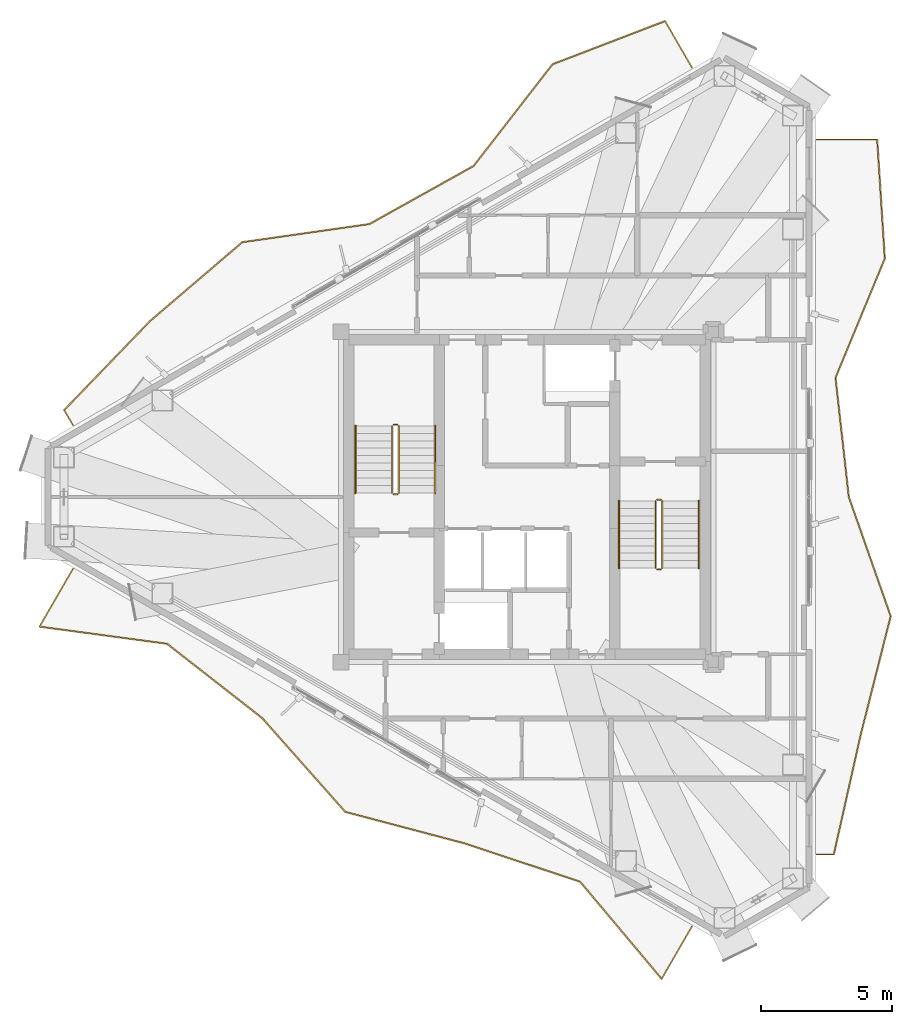
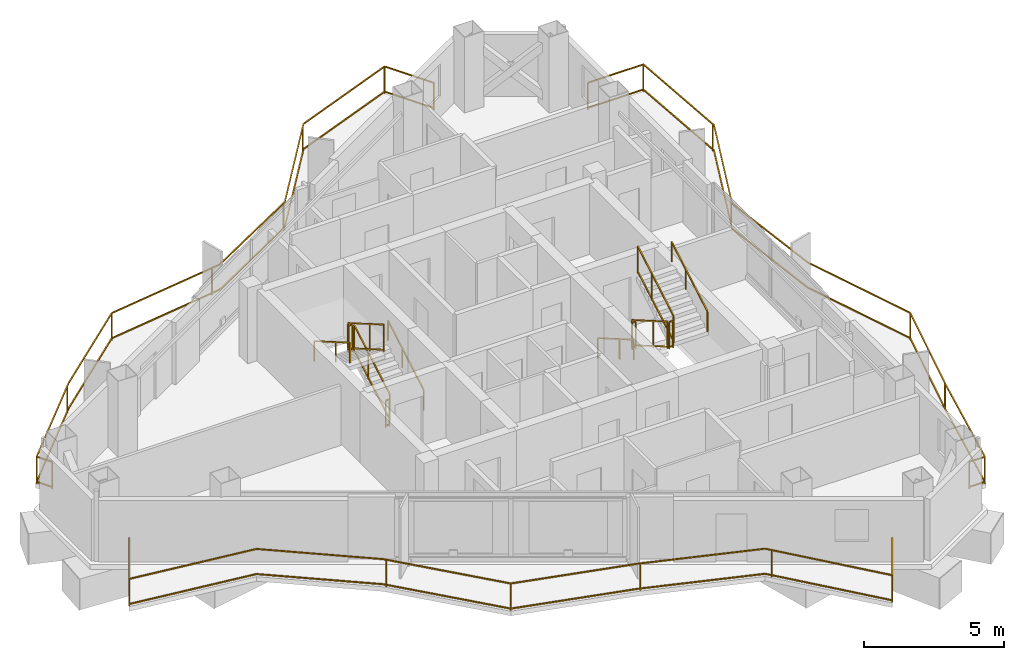
# One storey, part 17 of 17: 15 railings.
"""IFC4 building model written with IfcOpenShell, lengths in metres."""

from ifc_helpers import new_model, si_unit, direction, frame, origin, origin_2d, place, context, subcontext, project, spatial, rectangle, extrude, material, type_object, element, save


model = new_model("IFC4")

# Units and contexts
model_context = context("Model", 3, precision=1e-05, world=origin(), true_north=direction((0.0, 1.0)))
body_context = subcontext(model_context, "Body", "Model", "MODEL_VIEW")
ifc_project = project(units=[si_unit("LENGTHUNIT", "METRE"), si_unit("AREAUNIT", "SQUARE_METRE"), si_unit("VOLUMEUNIT", "CUBIC_METRE"), si_unit("PLANEANGLEUNIT", "RADIAN"), si_unit("MASSUNIT", "GRAM", prefix="KILO")], contexts=[model_context])

# Site, building, storey
site_placement = place(None, origin())
site = spatial("IfcSite", under=ifc_project, at=site_placement, CompositionType="ELEMENT")
building_placement = place(site_placement, origin())
building = spatial("IfcBuilding", under=site, at=building_placement, Name="Mersakhor Tower and Convention Hall", CompositionType="ELEMENT")
storey_placement = place(building_placement, frame((0.0, 0.0, 223.199951171875)))
storey = spatial("IfcBuildingStorey", under=building, at=storey_placement, Name="L62", CompositionType="ELEMENT", Elevation=223.199951171875)

# Railings
ifc_material_1 = material(Name="Powder-coated galvanised steel and laminated glass balustrade", Category="steel")
railing_type_1 = type_object("IfcRailingType", Name="RL-BAL-1200", PredefinedType="BALUSTRADE", material=ifc_material_1)
railing_1_placement = place(storey_placement, frame((35.287841796875, 43.13134765625, 0.0)))
element("IfcRailing", 1, at=railing_1_placement, inside=storey, type_object=railing_type_1, Name="L62 Sinusoidal Balcony Balustrade F1", PredefinedType="BALUSTRADE", context=body_context, shape_type="SweptSolid", body=[
    extrude(rectangle(XDim=0.048095703125, YDim=0.048095703125, at=origin_2d()), frame((0.0, 0.0, 1.17578125), z_axis=(-0.500036479807, 0.866004341134, 0.0), x_axis=(-0.866004341134, -0.500036479807, 0.0)), (0.0, 0.0, 1.0), 2.041259765625),
    extrude(rectangle(XDim=0.048095703125, YDim=0.048095703125, at=origin_2d()), frame((0.0, 0.0, 0.080078125), z_axis=(-0.500036479807, 0.866004341134, 0.0), x_axis=(-0.866004341134, -0.500036479807, 0.0)), (0.0, 0.0, 1.0), 2.041259765625),
    extrude(rectangle(XDim=0.048095703125, YDim=0.048095703125, at=origin_2d()), frame((-1.020751953125, 1.767822265625, 1.17578125), z_axis=(-0.93362697614, -0.35824666003, 0.0), x_axis=(0.35824666003, -0.93362697614, 0.0)), (0.0, 0.0, 1.0), 4.60205078125),
    extrude(rectangle(XDim=0.048095703125, YDim=0.048095703125, at=origin_2d()), frame((-1.020751953125, 1.767822265625, 0.080078125), z_axis=(-0.93362697614, -0.35824666003, 0.0), x_axis=(0.35824666003, -0.93362697614, 0.0)), (0.0, 0.0, 1.0), 4.60205078125),
    extrude(rectangle(XDim=0.048095703125, YDim=0.048095703125, at=origin_2d()), frame((-5.3173828125, 0.119140625, 1.17578125), z_axis=(-0.61301744282, -0.790069373409, 0.0), x_axis=(0.790069373409, -0.61301744282, 0.0)), (0.0, 0.0, 1.0), 4.908935546875),
    extrude(rectangle(XDim=0.048095703125, YDim=0.048095703125, at=origin_2d()), frame((-5.3173828125, 0.119140625, 0.080078125), z_axis=(-0.61301744282, -0.790069373409, 0.0), x_axis=(0.790069373409, -0.61301744282, 0.0)), (0.0, 0.0, 1.0), 4.908935546875),
    extrude(rectangle(XDim=0.048095703125, YDim=0.048095703125, at=origin_2d()), frame((-8.32666015625, -3.75927734375, 1.17578125), z_axis=(-0.873332678429, -0.487124247793, 0.0), x_axis=(0.487124247793, -0.873332678429, 0.0)), (0.0, 0.0, 1.0), 4.545654296875),
    extrude(rectangle(XDim=0.048095703125, YDim=0.048095703125, at=origin_2d()), frame((-8.32666015625, -3.75927734375, 0.080078125), z_axis=(-0.873332678429, -0.487124247793, 0.0), x_axis=(0.487124247793, -0.873332678429, 0.0)), (0.0, 0.0, 1.0), 4.545654296875),
    extrude(rectangle(XDim=0.048095703125, YDim=0.048095703125, at=origin_2d()), frame((-12.296630859375, -5.9736328125, 1.17578125), z_axis=(-0.989981366384, -0.141198067309, 0.0), x_axis=(0.141198067309, -0.989981366384, 0.0)), (0.0, 0.0, 1.0), 4.8984375),
    extrude(rectangle(XDim=0.048095703125, YDim=0.048095703125, at=origin_2d()), frame((-12.296630859375, -5.9736328125, 0.080078125), z_axis=(-0.989981366384, -0.141198067309, 0.0), x_axis=(0.141198067309, -0.989981366384, 0.0)), (0.0, 0.0, 1.0), 4.8984375),
    extrude(rectangle(XDim=0.048095703125, YDim=0.048095703125, at=origin_2d()), frame((-17.14599609375, -6.665283203125, 1.17578125), z_axis=(-0.760258477283, -0.649620695267, 0.0), x_axis=(0.649620695267, -0.760258477283, 0.0)), (0.0, 0.0, 1.0), 4.623046875),
    extrude(rectangle(XDim=0.048095703125, YDim=0.048095703125, at=origin_2d()), frame((-17.14599609375, -6.665283203125, 0.080078125), z_axis=(-0.760258477283, -0.649620695267, 0.0), x_axis=(0.649620695267, -0.760258477283, 0.0)), (0.0, 0.0, 1.0), 4.623046875),
    extrude(rectangle(XDim=0.048095703125, YDim=0.048095703125, at=origin_2d()), frame((-20.66064453125, -9.66845703125, 1.17578125), z_axis=(-0.694083982811, -0.719894037207, 0.0), x_axis=(0.719894037207, -0.694083982811, 0.0)), (0.0, 0.0, 1.0), 4.7294921875),
    extrude(rectangle(XDim=0.048095703125, YDim=0.048095703125, at=origin_2d()), frame((-20.66064453125, -9.66845703125, 0.080078125), z_axis=(-0.694083982811, -0.719894037207, 0.0), x_axis=(0.719894037207, -0.694083982811, 0.0)), (0.0, 0.0, 1.0), 4.7294921875),
    extrude(rectangle(XDim=0.048095703125, YDim=0.048095703125, at=origin_2d()), frame((-23.943359375, -13.0732421875, 1.17578125), z_axis=(0.500058503878, -0.86599162392, 0.0), x_axis=(0.86599162392, 0.500058503878, 0.0)), (0.0, 0.0, 1.0), 0.64990234375),
    extrude(rectangle(XDim=0.048095703125, YDim=0.048095703125, at=origin_2d()), frame((-23.943359375, -13.0732421875, 0.080078125), z_axis=(0.500058503878, -0.86599162392, 0.0), x_axis=(0.86599162392, 0.500058503878, 0.0)), (0.0, 0.0, 1.0), 0.64990234375),
    extrude(rectangle(XDim=0.0419921875, YDim=0.0419921875, at=origin_2d()), origin(), (0.0, 0.0, 1.0), 1.15185546875),
    extrude(rectangle(XDim=0.0419921875, YDim=0.0419921875, at=origin_2d()), frame((-1.020751953125, 1.767822265625, 0.0)), (0.0, 0.0, 1.0), 1.15185546875),
    extrude(rectangle(XDim=0.0419921875, YDim=0.0419921875, at=origin_2d()), frame((-5.438720703125, -0.037109375, 0.0)), (0.0, 0.0, 1.0), 1.15185546875),
    extrude(rectangle(XDim=0.0419921875, YDim=0.0419921875, at=origin_2d()), frame((-8.404296875, -3.802490234375, 0.0)), (0.0, 0.0, 1.0), 1.15185546875),
    extrude(rectangle(XDim=0.0419921875, YDim=0.0419921875, at=origin_2d()), frame((-12.636474609375, -6.02197265625, 0.0)), (0.0, 0.0, 1.0), 1.15185546875),
    extrude(rectangle(XDim=0.0419921875, YDim=0.0419921875, at=origin_2d()), frame((-17.14599609375, -6.665283203125, 0.0)), (0.0, 0.0, 1.0), 1.15185546875),
    extrude(rectangle(XDim=0.0419921875, YDim=0.0419921875, at=origin_2d()), frame((-20.783447265625, -9.7958984375, 0.0)), (0.0, 0.0, 1.0), 1.15185546875),
    extrude(rectangle(XDim=0.0419921875, YDim=0.0419921875, at=origin_2d()), frame((-23.943359375, -13.0732421875, 0.0)), (0.0, 0.0, 1.0), 1.15185546875),
    extrude(rectangle(XDim=0.0419921875, YDim=0.0419921875, at=origin_2d()), frame((-23.618408203125, -13.635986328125, 0.0)), (0.0, 0.0, 1.0), 1.15185546875),
])
railing_2_placement = place(storey_placement, frame((40.042724609375, 13.114013671875, 0.0)))
element("IfcRailing", 2, at=railing_2_placement, inside=storey, type_object=railing_type_1, Name="L62 Sinusoidal Balcony Balustrade F2", PredefinedType="BALUSTRADE", context=body_context, shape_type="SweptSolid", body=[
    extrude(rectangle(XDim=0.048095703125, YDim=0.048095703125, at=origin_2d()), frame((0.0, 0.0, 1.17578125), z_axis=(1.0, 0.0, 0.0), x_axis=(0.0, 1.0, 0.0)), (0.0, 0.0, 1.0), 0.650146484375),
    extrude(rectangle(XDim=0.048095703125, YDim=0.048095703125, at=origin_2d()), frame((0.0, 0.0, 0.080078125), z_axis=(1.0, 0.0, 0.0), x_axis=(0.0, 1.0, 0.0)), (0.0, 0.0, 1.0), 0.650146484375),
    extrude(rectangle(XDim=0.048095703125, YDim=0.048095703125, at=origin_2d()), frame((0.650146484375, 0.0, 1.17578125), z_axis=(0.219221620107, 0.975675090016, 0.0), x_axis=(-0.975675090016, 0.219221620107, 0.0)), (0.0, 0.0, 1.0), 4.658447265625),
    extrude(rectangle(XDim=0.048095703125, YDim=0.048095703125, at=origin_2d()), frame((0.650146484375, 0.0, 0.080078125), z_axis=(0.219221620107, 0.975675090016, 0.0), x_axis=(-0.975675090016, 0.219221620107, 0.0)), (0.0, 0.0, 1.0), 4.658447265625),
    extrude(rectangle(XDim=0.048095703125, YDim=0.048095703125, at=origin_2d()), frame((1.67138671875, 4.545166015625, 1.17578125), z_axis=(0.245009899788, 0.969520576886, 0.0), x_axis=(-0.969520576886, 0.245009899788, 0.0)), (0.0, 0.0, 1.0), 4.688232421875),
    extrude(rectangle(XDim=0.048095703125, YDim=0.048095703125, at=origin_2d()), frame((1.67138671875, 4.545166015625, 0.080078125), z_axis=(0.245009899788, 0.969520576886, 0.0), x_axis=(-0.969520576886, 0.245009899788, 0.0)), (0.0, 0.0, 1.0), 4.688232421875),
    extrude(rectangle(XDim=0.048095703125, YDim=0.048095703125, at=origin_2d()), frame((2.820068359375, 9.090576171875, 1.17578125), z_axis=(-0.33137505091, 0.943499112684, 0.0), x_axis=(-0.943499112684, -0.33137505091, 0.0)), (0.0, 0.0, 1.0), 4.817626953125),
    extrude(rectangle(XDim=0.048095703125, YDim=0.048095703125, at=origin_2d()), frame((2.820068359375, 9.090576171875, 0.080078125), z_axis=(-0.33137505091, 0.943499112684, 0.0), x_axis=(-0.943499112684, -0.33137505091, 0.0)), (0.0, 0.0, 1.0), 4.817626953125),
    extrude(rectangle(XDim=0.048095703125, YDim=0.048095703125, at=origin_2d()), frame((1.2236328125, 13.635986328125, 1.17578125), z_axis=(-0.111345405852, 0.993781767088, 0.0), x_axis=(-0.993781767088, -0.111345405852, 0.0)), (0.0, 0.0, 1.0), 4.57373046875),
    extrude(rectangle(XDim=0.048095703125, YDim=0.048095703125, at=origin_2d()), frame((1.2236328125, 13.635986328125, 0.080078125), z_axis=(-0.111345405852, 0.993781767088, 0.0), x_axis=(-0.993781767088, -0.111345405852, 0.0)), (0.0, 0.0, 1.0), 4.57373046875),
    extrude(rectangle(XDim=0.048095703125, YDim=0.048095703125, at=origin_2d()), frame((0.71435546875, 18.181396484375, 1.17578125), z_axis=(0.382394166219, 0.923999297425, 0.0), x_axis=(-0.923999297425, 0.382394166219, 0.0)), (0.0, 0.0, 1.0), 4.919189453125),
    extrude(rectangle(XDim=0.048095703125, YDim=0.048095703125, at=origin_2d()), frame((0.71435546875, 18.181396484375, 0.080078125), z_axis=(0.382394166219, 0.923999297425, 0.0), x_axis=(-0.923999297425, 0.382394166219, 0.0)), (0.0, 0.0, 1.0), 4.919189453125),
    extrude(rectangle(XDim=0.048095703125, YDim=0.048095703125, at=origin_2d()), frame((2.595458984375, 22.726806640625, 1.17578125), z_axis=(-0.0637365032, 0.997966762052, 0.0), x_axis=(-0.997966762052, -0.0637365032, 0.0)), (0.0, 0.0, 1.0), 4.554443359375),
    extrude(rectangle(XDim=0.048095703125, YDim=0.048095703125, at=origin_2d()), frame((2.595458984375, 22.726806640625, 0.080078125), z_axis=(-0.0637365032, 0.997966762052, 0.0), x_axis=(-0.997966762052, -0.0637365032, 0.0)), (0.0, 0.0, 1.0), 4.554443359375),
    extrude(rectangle(XDim=0.048095703125, YDim=0.048095703125, at=origin_2d()), frame((2.30517578125, 27.27197265625, 1.17578125), z_axis=(-1.0, 0.0, 0.0), x_axis=(0.0, -1.0, 0.0)), (0.0, 0.0, 1.0), 2.30517578125),
    extrude(rectangle(XDim=0.048095703125, YDim=0.048095703125, at=origin_2d()), frame((2.30517578125, 27.27197265625, 0.080078125), z_axis=(-1.0, 0.0, 0.0), x_axis=(0.0, -1.0, 0.0)), (0.0, 0.0, 1.0), 2.30517578125),
    extrude(rectangle(XDim=0.0419921875, YDim=0.0419921875, at=origin_2d()), origin(), (0.0, 0.0, 1.0), 1.15185546875),
    extrude(rectangle(XDim=0.0419921875, YDim=0.0419921875, at=origin_2d()), frame((0.650146484375, 0.0, 0.0)), (0.0, 0.0, 1.0), 1.15185546875),
    extrude(rectangle(XDim=0.0419921875, YDim=0.0419921875, at=origin_2d()), frame((1.7060546875, 4.682373046875, 0.0)), (0.0, 0.0, 1.0), 1.15185546875),
    extrude(rectangle(XDim=0.0419921875, YDim=0.0419921875, at=origin_2d()), frame((2.820068359375, 9.090576171875, 0.0)), (0.0, 0.0, 1.0), 1.15185546875),
    extrude(rectangle(XDim=0.0419921875, YDim=0.0419921875, at=origin_2d()), frame((0.794189453125, 18.3740234375, 0.0)), (0.0, 0.0, 1.0), 1.15185546875),
    extrude(rectangle(XDim=0.0419921875, YDim=0.0419921875, at=origin_2d()), frame((2.58984375, 22.81591796875, 0.0)), (0.0, 0.0, 1.0), 1.15185546875),
    extrude(rectangle(XDim=0.0419921875, YDim=0.0419921875, at=origin_2d()), frame((2.30517578125, 27.27197265625, 0.0)), (0.0, 0.0, 1.0), 1.15185546875),
    extrude(rectangle(XDim=0.0419921875, YDim=0.0419921875, at=origin_2d()), frame((0.0, 27.27197265625, 0.0)), (0.0, 0.0, 1.0), 1.15185546875),
])
railing_3_placement = place(storey_placement, frame((11.66943359375, 24.004638671875, 0.0)))
element("IfcRailing", 3, at=railing_3_placement, inside=storey, type_object=railing_type_1, Name="L62 Sinusoidal Balcony Balustrade F3", PredefinedType="BALUSTRADE", context=body_context, shape_type="SweptSolid", body=[
    extrude(rectangle(XDim=0.048095703125, YDim=0.048095703125, at=origin_2d()), frame((0.0, 0.0, 1.17578125), z_axis=(-0.50000315907, -0.866023579887, 0.0), x_axis=(0.866023579887, -0.50000315907, 0.0)), (0.0, 0.0, 1.0), 2.53466796875),
    extrude(rectangle(XDim=0.048095703125, YDim=0.048095703125, at=origin_2d()), frame((0.0, 0.0, 0.080078125), z_axis=(-0.50000315907, -0.866023579887, 0.0), x_axis=(0.866023579887, -0.50000315907, 0.0)), (0.0, 0.0, 1.0), 2.53466796875),
    extrude(rectangle(XDim=0.048095703125, YDim=0.048095703125, at=origin_2d()), frame((-1.267333984375, -2.195068359375, 1.17578125), z_axis=(0.991076697313, -0.133292835676, 0.0), x_axis=(0.133292835676, 0.991076697313, 0.0)), (0.0, 0.0, 1.0), 4.914306640625),
    extrude(rectangle(XDim=0.048095703125, YDim=0.048095703125, at=origin_2d()), frame((-1.267333984375, -2.195068359375, 0.080078125), z_axis=(0.991076697313, -0.133292835676, 0.0), x_axis=(0.133292835676, 0.991076697313, 0.0)), (0.0, 0.0, 1.0), 4.914306640625),
    extrude(rectangle(XDim=0.048095703125, YDim=0.048095703125, at=origin_2d()), frame((3.60302734375, -2.85009765625, 1.17578125), z_axis=(0.788147741698, -0.615486098346, 0.0), x_axis=(0.615486098346, 0.788147741698, 0.0)), (0.0, 0.0, 1.0), 4.58984375),
    extrude(rectangle(XDim=0.048095703125, YDim=0.048095703125, at=origin_2d()), frame((3.60302734375, -2.85009765625, 0.080078125), z_axis=(0.788147741698, -0.615486098346, 0.0), x_axis=(0.615486098346, 0.788147741698, 0.0)), (0.0, 0.0, 1.0), 4.58984375),
    extrude(rectangle(XDim=0.048095703125, YDim=0.048095703125, at=origin_2d()), frame((7.220458984375, -5.675048828125, 1.17578125), z_axis=(0.663414514298, -0.748252084674, 0.0), x_axis=(0.748252084674, 0.663414514298, 0.0)), (0.0, 0.0, 1.0), 4.79150390625),
    extrude(rectangle(XDim=0.048095703125, YDim=0.048095703125, at=origin_2d()), frame((7.220458984375, -5.675048828125, 0.080078125), z_axis=(0.663414514298, -0.748252084674, 0.0), x_axis=(0.748252084674, 0.663414514298, 0.0)), (0.0, 0.0, 1.0), 4.79150390625),
    extrude(rectangle(XDim=0.048095703125, YDim=0.048095703125, at=origin_2d()), frame((10.399169921875, -9.26025390625, 1.17578125), z_axis=(0.966840478449, -0.255381066709, 0.0), x_axis=(0.255381066709, 0.966840478449, 0.0)), (0.0, 0.0, 1.0), 4.710205078125),
    extrude(rectangle(XDim=0.048095703125, YDim=0.048095703125, at=origin_2d()), frame((10.399169921875, -9.26025390625, 0.080078125), z_axis=(0.966840478449, -0.255381066709, 0.0), x_axis=(0.255381066709, 0.966840478449, 0.0)), (0.0, 0.0, 1.0), 4.710205078125),
    extrude(rectangle(XDim=0.048095703125, YDim=0.048095703125, at=origin_2d()), frame((14.953125, -10.463134765625, 1.17578125), z_axis=(0.948993244621, -0.315296402872, 0.0), x_axis=(0.315296402872, 0.948993244621, 0.0)), (0.0, 0.0, 1.0), 4.640625),
    extrude(rectangle(XDim=0.048095703125, YDim=0.048095703125, at=origin_2d()), frame((14.953125, -10.463134765625, 0.080078125), z_axis=(0.948993244621, -0.315296402872, 0.0), x_axis=(0.315296402872, 0.948993244621, 0.0)), (0.0, 0.0, 1.0), 4.640625),
    extrude(rectangle(XDim=0.048095703125, YDim=0.048095703125, at=origin_2d()), frame((19.35693359375, -11.92626953125, 1.17578125), z_axis=(0.642682984847, -0.76613222161, 0.0), x_axis=(0.76613222161, 0.642682984847, 0.0)), (0.0, 0.0, 1.0), 4.83740234375),
    extrude(rectangle(XDim=0.048095703125, YDim=0.048095703125, at=origin_2d()), frame((19.35693359375, -11.92626953125, 0.080078125), z_axis=(0.642682984847, -0.76613222161, 0.0), x_axis=(0.76613222161, 0.642682984847, 0.0)), (0.0, 0.0, 1.0), 4.83740234375),
    extrude(rectangle(XDim=0.048095703125, YDim=0.048095703125, at=origin_2d()), frame((22.4658203125, -15.63232421875, 1.17578125), z_axis=(0.500000544019, 0.866025089694, 0.0), x_axis=(-0.866025089694, 0.500000544019, 0.0)), (0.0, 0.0, 1.0), 2.30517578125),
    extrude(rectangle(XDim=0.048095703125, YDim=0.048095703125, at=origin_2d()), frame((22.4658203125, -15.63232421875, 0.080078125), z_axis=(0.500000544019, 0.866025089694, 0.0), x_axis=(-0.866025089694, 0.500000544019, 0.0)), (0.0, 0.0, 1.0), 2.30517578125),
    extrude(rectangle(XDim=0.0419921875, YDim=0.0419921875, at=origin_2d()), origin(), (0.0, 0.0, 1.0), 1.15185546875),
    extrude(rectangle(XDim=0.0419921875, YDim=0.0419921875, at=origin_2d()), frame((-1.267333984375, -2.195068359375, 0.0)), (0.0, 0.0, 1.0), 1.15185546875),
    extrude(rectangle(XDim=0.0419921875, YDim=0.0419921875, at=origin_2d()), frame((7.2841796875, -5.746826171875, 0.0)), (0.0, 0.0, 1.0), 1.15185546875),
    extrude(rectangle(XDim=0.0419921875, YDim=0.0419921875, at=origin_2d()), frame((10.399169921875, -9.26025390625, 0.0)), (0.0, 0.0, 1.0), 1.15185546875),
    extrude(rectangle(XDim=0.0419921875, YDim=0.0419921875, at=origin_2d()), frame((15.038330078125, -10.491455078125, 0.0)), (0.0, 0.0, 1.0), 1.15185546875),
    extrude(rectangle(XDim=0.0419921875, YDim=0.0419921875, at=origin_2d()), frame((19.51708984375, -12.1171875, 0.0)), (0.0, 0.0, 1.0), 1.15185546875),
    extrude(rectangle(XDim=0.0419921875, YDim=0.0419921875, at=origin_2d()), frame((22.4658203125, -15.63232421875, 0.0)), (0.0, 0.0, 1.0), 1.15185546875),
    extrude(rectangle(XDim=0.0419921875, YDim=0.0419921875, at=origin_2d()), frame((23.618408203125, -13.635986328125, 0.0)), (0.0, 0.0, 1.0), 1.15185546875),
])
ifc_material_2 = material(Name="Brushed stainless steel handrail", Category="steel")
railing_type_2 = type_object("IfcRailingType", Name="RL-HR-900", PredefinedType="HANDRAIL", material=ifc_material_2)
railing_4_placement = place(storey_placement, frame((25.5, 26.89990234375, 0.1650390625)))
element("IfcRailing", 4, at=railing_4_placement, inside=storey, type_object=railing_type_2, Name="L62 ST-1 stair handrail 1", PredefinedType="HANDRAIL", context=body_context, shape_type="SweptSolid", body=[
    extrude(rectangle(XDim=0.048095703125, YDim=0.048095703125, at=origin_2d()), frame((0.0, 0.0, 0.8759765625), z_axis=(0.0, 0.865426285481, 0.501036270542), x_axis=(-1.0, 0.0, 0.0)), (0.0, 0.0, 1.0), 2.964111328125),
    extrude(rectangle(XDim=0.0419921875, YDim=0.0419921875, at=origin_2d()), origin(), (0.0, 0.0, 1.0), 0.851806640625),
    extrude(rectangle(XDim=0.0419921875, YDim=0.0419921875, at=origin_2d()), frame((0.0, 1.557861328125, 0.90185546875)), (0.0, 0.0, 1.0), 0.851806640625),
    extrude(rectangle(XDim=0.0419921875, YDim=0.0419921875, at=origin_2d()), frame((0.0, 2.565185546875, 1.485107421875)), (0.0, 0.0, 1.0), 0.851806640625),
])
for number, where, name in (
    (5, (22.449951171875, 29.465087890625, 1.81494140625), "L62 ST-1 stair handrail 2"),
    (6, (32.5, 26.60009765625, 0.1650390625), "L62 ST-2 stair handrail 1"),
):
    element("IfcRailing", number, at=place(storey_placement, frame(where)), inside=storey, type_object=railing_type_2, Name=name, PredefinedType="HANDRAIL", context=body_context, shape_type="SweptSolid", body=[
        extrude(rectangle(XDim=0.048095703125, YDim=0.048095703125, at=origin_2d()), frame((0.0, 0.0, 0.8759765625), z_axis=(0.0, -0.865426285481, 0.501036270542), x_axis=(1.0, 0.0, 0.0)), (0.0, 0.0, 1.0), 2.964111328125),
        extrude(rectangle(XDim=0.0419921875, YDim=0.0419921875, at=origin_2d()), origin(), (0.0, 0.0, 1.0), 0.851806640625),
        extrude(rectangle(XDim=0.0419921875, YDim=0.0419921875, at=origin_2d()), frame((0.0, -1.557861328125, 0.90185546875)), (0.0, 0.0, 1.0), 0.851806640625),
        extrude(rectangle(XDim=0.0419921875, YDim=0.0419921875, at=origin_2d()), frame((0.0, -2.565185546875, 1.485107421875)), (0.0, 0.0, 1.0), 0.851806640625),
    ])
railing_5_placement = place(storey_placement, frame((35.550048828125, 24.034912109375, 1.81494140625)))
element("IfcRailing", 7, at=railing_5_placement, inside=storey, type_object=railing_type_2, Name="L62 ST-2 stair handrail 2", PredefinedType="HANDRAIL", context=body_context, shape_type="SweptSolid", body=[
    extrude(rectangle(XDim=0.048095703125, YDim=0.048095703125, at=origin_2d()), frame((0.0, 0.0, 0.8759765625), z_axis=(0.0, 0.865426285481, 0.501036270542), x_axis=(-1.0, 0.0, 0.0)), (0.0, 0.0, 1.0), 2.964111328125),
    extrude(rectangle(XDim=0.0419921875, YDim=0.0419921875, at=origin_2d()), origin(), (0.0, 0.0, 1.0), 0.851806640625),
    extrude(rectangle(XDim=0.0419921875, YDim=0.0419921875, at=origin_2d()), frame((0.0, 1.557861328125, 0.90185546875)), (0.0, 0.0, 1.0), 0.851806640625),
    extrude(rectangle(XDim=0.0419921875, YDim=0.0419921875, at=origin_2d()), frame((0.0, 2.565185546875, 1.485107421875)), (0.0, 0.0, 1.0), 0.851806640625),
])
ifc_material_3 = material(Name="Painted steel stair balustrade S355", Category="steel")
railing_type_3 = type_object("IfcRailingType", Name="RL-STG-1200", PredefinedType="BALUSTRADE", material=ifc_material_3)
railing_6_placement = place(storey_placement, frame((24.10009765625, 26.89990234375, 0.1650390625)))
element("IfcRailing", 8, at=railing_6_placement, inside=storey, type_object=railing_type_3, Name="L62 ST-1 stair guard 1", PredefinedType="BALUSTRADE", context=body_context, shape_type="SweptSolid", body=[
    extrude(rectangle(XDim=0.048095703125, YDim=0.048095703125, at=origin_2d()), frame((0.0, 0.0, 1.17578125), z_axis=(0.0, 0.865426285481, 0.501036270542), x_axis=(-1.0, 0.0, 0.0)), (0.0, 0.0, 1.0), 2.964111328125),
    extrude(rectangle(XDim=0.048095703125, YDim=0.048095703125, at=origin_2d()), frame((0.0, 0.0, 0.080078125), z_axis=(0.0, 0.865426285481, 0.501036270542), x_axis=(-1.0, 0.0, 0.0)), (0.0, 0.0, 1.0), 2.964111328125),
    extrude(rectangle(XDim=0.0419921875, YDim=0.0419921875, at=origin_2d()), origin(), (0.0, 0.0, 1.0), 1.15185546875),
    extrude(rectangle(XDim=0.0419921875, YDim=0.0419921875, at=origin_2d()), frame((0.0, 1.557861328125, 0.90185546875)), (0.0, 0.0, 1.0), 1.15185546875),
    extrude(rectangle(XDim=0.0419921875, YDim=0.0419921875, at=origin_2d()), frame((0.0, 2.565185546875, 1.485107421875)), (0.0, 0.0, 1.0), 1.15185546875),
])
railing_7_placement = place(storey_placement, frame((24.050048828125, 29.514892578125, 1.650146484375)))
element("IfcRailing", 9, at=railing_7_placement, inside=storey, type_object=railing_type_3, Name="L62 ST-1 stair guard 2", PredefinedType="BALUSTRADE", context=body_context, shape_type="SweptSolid", body=[
    extrude(rectangle(XDim=0.048095703125, YDim=0.048095703125, at=origin_2d()), frame((0.0, 0.0, 1.17578125), z_axis=(-1.0, 0.0, 0.0), x_axis=(0.0, -1.0, 0.0)), (0.0, 0.0, 1.0), 0.150146484375),
    extrude(rectangle(XDim=0.048095703125, YDim=0.048095703125, at=origin_2d()), frame((0.0, 0.0, 0.080078125), z_axis=(-1.0, 0.0, 0.0), x_axis=(0.0, -1.0, 0.0)), (0.0, 0.0, 1.0), 0.150146484375),
    extrude(rectangle(XDim=0.0419921875, YDim=0.0419921875, at=origin_2d()), origin(), (0.0, 0.0, 1.0), 1.15185546875),
    extrude(rectangle(XDim=0.0419921875, YDim=0.0419921875, at=origin_2d()), frame((-0.150146484375, 0.0, 0.0)), (0.0, 0.0, 1.0), 1.15185546875),
])
railing_8_placement = place(storey_placement, frame((23.85009765625, 29.465087890625, 1.81494140625)))
element("IfcRailing", 10, at=railing_8_placement, inside=storey, type_object=railing_type_3, Name="L62 ST-1 stair guard 3", PredefinedType="BALUSTRADE", context=body_context, shape_type="SweptSolid", body=[
    extrude(rectangle(XDim=0.048095703125, YDim=0.048095703125, at=origin_2d()), frame((0.0, 0.0, 1.17578125), z_axis=(0.0, -0.865426285481, 0.501036270542), x_axis=(1.0, 0.0, 0.0)), (0.0, 0.0, 1.0), 2.964111328125),
    extrude(rectangle(XDim=0.048095703125, YDim=0.048095703125, at=origin_2d()), frame((0.0, 0.0, 0.080078125), z_axis=(0.0, -0.865426285481, 0.501036270542), x_axis=(1.0, 0.0, 0.0)), (0.0, 0.0, 1.0), 2.964111328125),
    extrude(rectangle(XDim=0.0419921875, YDim=0.0419921875, at=origin_2d()), origin(), (0.0, 0.0, 1.0), 1.15185546875),
    extrude(rectangle(XDim=0.0419921875, YDim=0.0419921875, at=origin_2d()), frame((0.0, -1.557861328125, 0.90185546875)), (0.0, 0.0, 1.0), 1.15185546875),
    extrude(rectangle(XDim=0.0419921875, YDim=0.0419921875, at=origin_2d()), frame((0.0, -2.565185546875, 1.485107421875)), (0.0, 0.0, 1.0), 1.15185546875),
])
railing_9_placement = place(storey_placement, frame((24.050048828125, 26.85009765625, 0.0)))
element("IfcRailing", 11, at=railing_9_placement, inside=storey, type_object=railing_type_3, Name="L62 ST-1 stair guard 4", PredefinedType="BALUSTRADE", context=body_context, shape_type="SweptSolid", body=[
    extrude(rectangle(XDim=0.048095703125, YDim=0.048095703125, at=origin_2d()), frame((0.0, 0.0, 1.17578125), z_axis=(-1.0, 0.0, 0.0), x_axis=(0.0, -1.0, 0.0)), (0.0, 0.0, 1.0), 0.150146484375),
    extrude(rectangle(XDim=0.048095703125, YDim=0.048095703125, at=origin_2d()), frame((0.0, 0.0, 0.080078125), z_axis=(-1.0, 0.0, 0.0), x_axis=(0.0, -1.0, 0.0)), (0.0, 0.0, 1.0), 0.150146484375),
    extrude(rectangle(XDim=0.0419921875, YDim=0.0419921875, at=origin_2d()), origin(), (0.0, 0.0, 1.0), 1.15185546875),
    extrude(rectangle(XDim=0.0419921875, YDim=0.0419921875, at=origin_2d()), frame((-0.150146484375, 0.0, 0.0)), (0.0, 0.0, 1.0), 1.15185546875),
])
railing_10_placement = place(storey_placement, frame((33.89990234375, 26.60009765625, 0.1650390625)))
element("IfcRailing", 12, at=railing_10_placement, inside=storey, type_object=railing_type_3, Name="L62 ST-2 stair guard 1", PredefinedType="BALUSTRADE", context=body_context, shape_type="SweptSolid", body=[
    extrude(rectangle(XDim=0.048095703125, YDim=0.048095703125, at=origin_2d()), frame((0.0, 0.0, 1.17578125), z_axis=(0.0, -0.865426285481, 0.501036270542), x_axis=(1.0, 0.0, 0.0)), (0.0, 0.0, 1.0), 2.964111328125),
    extrude(rectangle(XDim=0.048095703125, YDim=0.048095703125, at=origin_2d()), frame((0.0, 0.0, 0.080078125), z_axis=(0.0, -0.865426285481, 0.501036270542), x_axis=(1.0, 0.0, 0.0)), (0.0, 0.0, 1.0), 2.964111328125),
    extrude(rectangle(XDim=0.0419921875, YDim=0.0419921875, at=origin_2d()), origin(), (0.0, 0.0, 1.0), 1.15185546875),
    extrude(rectangle(XDim=0.0419921875, YDim=0.0419921875, at=origin_2d()), frame((0.0, -1.557861328125, 0.90185546875)), (0.0, 0.0, 1.0), 1.15185546875),
    extrude(rectangle(XDim=0.0419921875, YDim=0.0419921875, at=origin_2d()), frame((0.0, -2.565185546875, 1.485107421875)), (0.0, 0.0, 1.0), 1.15185546875),
])
railing_11_placement = place(storey_placement, frame((33.949951171875, 23.985107421875, 1.650146484375)))
element("IfcRailing", 13, at=railing_11_placement, inside=storey, type_object=railing_type_3, Name="L62 ST-2 stair guard 2", PredefinedType="BALUSTRADE", context=body_context, shape_type="SweptSolid", body=[
    extrude(rectangle(XDim=0.048095703125, YDim=0.048095703125, at=origin_2d()), frame((0.0, 0.0, 1.17578125), z_axis=(1.0, 0.0, 0.0), x_axis=(0.0, 1.0, 0.0)), (0.0, 0.0, 1.0), 0.150146484375),
    extrude(rectangle(XDim=0.048095703125, YDim=0.048095703125, at=origin_2d()), frame((0.0, 0.0, 0.080078125), z_axis=(1.0, 0.0, 0.0), x_axis=(0.0, 1.0, 0.0)), (0.0, 0.0, 1.0), 0.150146484375),
    extrude(rectangle(XDim=0.0419921875, YDim=0.0419921875, at=origin_2d()), origin(), (0.0, 0.0, 1.0), 1.15185546875),
    extrude(rectangle(XDim=0.0419921875, YDim=0.0419921875, at=origin_2d()), frame((0.150146484375, 0.0, 0.0)), (0.0, 0.0, 1.0), 1.15185546875),
])
railing_12_placement = place(storey_placement, frame((34.14990234375, 24.034912109375, 1.81494140625)))
element("IfcRailing", 14, at=railing_12_placement, inside=storey, type_object=railing_type_3, Name="L62 ST-2 stair guard 3", PredefinedType="BALUSTRADE", context=body_context, shape_type="SweptSolid", body=[
    extrude(rectangle(XDim=0.048095703125, YDim=0.048095703125, at=origin_2d()), frame((0.0, 0.0, 1.17578125), z_axis=(0.0, 0.865426285481, 0.501036270542), x_axis=(-1.0, 0.0, 0.0)), (0.0, 0.0, 1.0), 2.964111328125),
    extrude(rectangle(XDim=0.048095703125, YDim=0.048095703125, at=origin_2d()), frame((0.0, 0.0, 0.080078125), z_axis=(0.0, 0.865426285481, 0.501036270542), x_axis=(-1.0, 0.0, 0.0)), (0.0, 0.0, 1.0), 2.964111328125),
    extrude(rectangle(XDim=0.0419921875, YDim=0.0419921875, at=origin_2d()), origin(), (0.0, 0.0, 1.0), 1.15185546875),
    extrude(rectangle(XDim=0.0419921875, YDim=0.0419921875, at=origin_2d()), frame((0.0, 1.557861328125, 0.90185546875)), (0.0, 0.0, 1.0), 1.15185546875),
    extrude(rectangle(XDim=0.0419921875, YDim=0.0419921875, at=origin_2d()), frame((0.0, 2.565185546875, 1.485107421875)), (0.0, 0.0, 1.0), 1.15185546875),
])
railing_13_placement = place(storey_placement, frame((33.949951171875, 26.64990234375, 0.0)))
element("IfcRailing", 15, at=railing_13_placement, inside=storey, type_object=railing_type_3, Name="L62 ST-2 stair guard 4", PredefinedType="BALUSTRADE", context=body_context, shape_type="SweptSolid", body=[
    extrude(rectangle(XDim=0.048095703125, YDim=0.048095703125, at=origin_2d()), frame((0.0, 0.0, 1.17578125), z_axis=(1.0, 0.0, 0.0), x_axis=(0.0, 1.0, 0.0)), (0.0, 0.0, 1.0), 0.150146484375),
    extrude(rectangle(XDim=0.048095703125, YDim=0.048095703125, at=origin_2d()), frame((0.0, 0.0, 0.080078125), z_axis=(1.0, 0.0, 0.0), x_axis=(0.0, 1.0, 0.0)), (0.0, 0.0, 1.0), 0.150146484375),
    extrude(rectangle(XDim=0.0419921875, YDim=0.0419921875, at=origin_2d()), origin(), (0.0, 0.0, 1.0), 1.15185546875),
    extrude(rectangle(XDim=0.0419921875, YDim=0.0419921875, at=origin_2d()), frame((0.150146484375, 0.0, 0.0)), (0.0, 0.0, 1.0), 1.15185546875),
])

save(model, "model.ifc")
